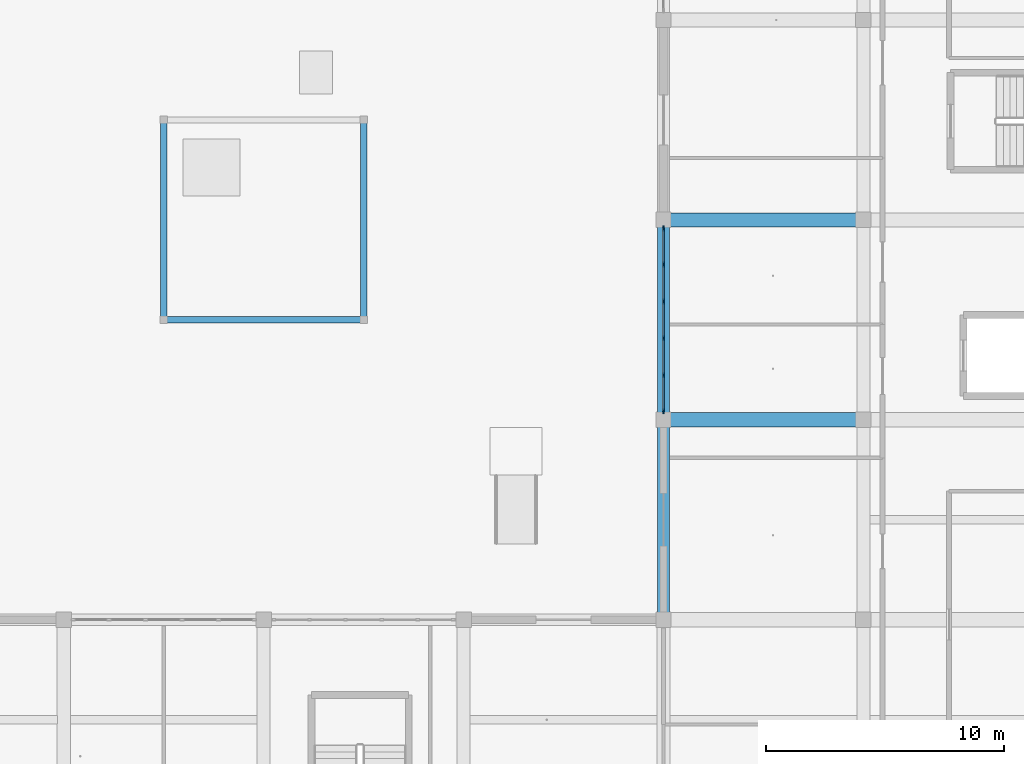
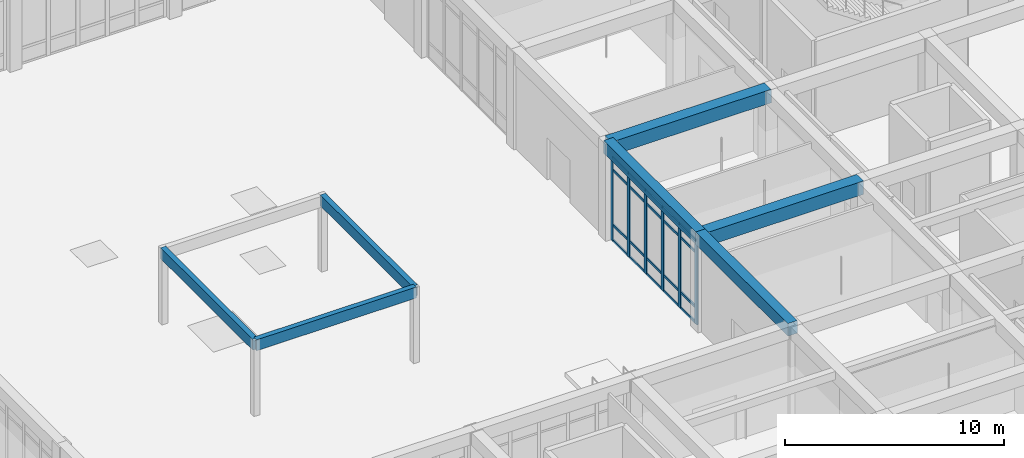
# One storey, part 39 of 167: 26 members, 7 beams, 1 element without a shape of its own.
"""IFC4 building model written with IfcOpenShell, lengths in metres."""

from ifc_helpers import new_model, si_unit, direction, frame, origin, origin_2d, place, context, subcontext, project, spatial, rectangle, extrude, material, material_profile, profile_set, type_object, element, aggregate, save


model = new_model("IFC4")

# Units and contexts
model_context = context("Model", 3, precision=1e-05, world=origin(), true_north=direction((0.0, 1.0)))
body_context = subcontext(model_context, "Body", "Model", "MODEL_VIEW")
ifc_project = project(units=[si_unit("LENGTHUNIT", "METRE"), si_unit("AREAUNIT", "SQUARE_METRE"), si_unit("VOLUMEUNIT", "CUBIC_METRE"), si_unit("PLANEANGLEUNIT", "RADIAN"), si_unit("MASSUNIT", "GRAM", prefix="KILO")], contexts=[model_context])

# Site, building, storey
site_placement = place(None, origin())
site = spatial("IfcSite", under=ifc_project, at=site_placement, CompositionType="ELEMENT")
building_placement = place(site_placement, origin())
building = spatial("IfcBuilding", under=site, at=building_placement, Name="Varncliffe General Hospital", CompositionType="ELEMENT")
storey_placement = place(building_placement, origin())
storey = spatial("IfcBuildingStorey", under=building, at=storey_placement, Name="L00", CompositionType="ELEMENT", Elevation=0.0)

# Beams
ifc_material_1 = material(Name="Concrete C35/45 (CSA A23.1 35 MPa)", Category="concrete")
ifc_material_profile_1 = material_profile(ifc_material_1, rectangle(XDim=0.60009765625, YDim=0.75, at=origin_2d()), Name="RC 600x750")
ifc_profile_set_1 = profile_set([ifc_material_profile_1], Name="Concrete C35/45 (CSA A23.1 35 MPa)")
beam_type_1 = type_object("IfcBeamType", Name="Beam B23 (Int RC 600x750)", PredefinedType="BEAM", material=ifc_profile_set_1)
for number, where, z_axis, x_axis, name in (
    (1, (151.199951171875, 49.199951171875, 5.02490234375), (1.0, 0.0, 0.0), (0.0, 1.0, 0.0), "L00 Primary Beam B23-70"),
    (2, (151.199951171875, 57.60009765625, 5.02490234375), (1.0, 0.0, 0.0), (0.0, 1.0, 0.0), "L00 Primary Beam B23-83"),
):
    element("IfcBeam", number, at=place(storey_placement, frame(where, z_axis=z_axis, x_axis=x_axis)), inside=storey, type_object=beam_type_1, Name=name, PredefinedType="BEAM", context=body_context, shape_type="SweptSolid", body=[
        extrude(rectangle(XDim=0.60009765625, YDim=0.75, at=origin_2d()), origin(), (0.0, 0.0, 1.0), 8.400146484375),
    ])
ifc_material_2 = material(Name="Glulam GL28h (CSA O86 24f-EX, 30 MPa)", Category="wood")
ifc_material_profile_2 = material_profile(ifc_material_2, rectangle(XDim=0.264892578125, YDim=0.60791015625, at=origin_2d()), Name="GL 265x608")
ifc_profile_set_2 = profile_set([ifc_material_profile_2], Name="Glulam GL28h (CSA O86 24f-EX, 30 MPa)")
beam_type_2 = type_object("IfcBeamType", Name="Beam B82 (Ext GL 265x608)", PredefinedType="BEAM", material=ifc_profile_set_2)
for number, where, z_axis, x_axis, name in (
    (3, (130.199951171875, 53.39990234375, 3.89599609375), (1.0, 0.0, 0.0), (0.0, 1.0, 0.0), "L00 Cloister Pergola Glulam Beam E1"),
    (4, (130.199951171875, 53.39990234375, 3.89599609375), (0.0, 1.0, 0.0), (-1.0, 0.0, 0.0), "L00 Cloister Pergola Glulam Beam E3"),
    (5, (138.60009765625, 53.39990234375, 3.89599609375), (0.0, 1.0, 0.0), (-1.0, 0.0, 0.0), "L00 Cloister Pergola Glulam Beam E4"),
):
    element("IfcBeam", number, at=place(storey_placement, frame(where, z_axis=z_axis, x_axis=x_axis)), inside=storey, type_object=beam_type_2, Name=name, PredefinedType="BEAM", context=body_context, shape_type="SweptSolid", body=[
        extrude(rectangle(XDim=0.264892578125, YDim=0.60791015625, at=origin_2d()), origin(), (0.0, 0.0, 1.0), 8.400146484375),
    ])

# Curtain wall, members
ifc_material_3 = material(Name="Triple low-E argon insulated vision glazing", Category="glass")
curtain_wall_type = type_object("IfcCurtainWallType", Name="Unitised Glazed Curtain Wall CW66 (7754x4640)", PredefinedType="USERDEFINED", material=ifc_material_3)
curtain_wall_placement = place(storey_placement, origin())
curtain_wall = element("IfcCurtainWall", 6, at=curtain_wall_placement, inside=storey, type_object=curtain_wall_type, Name="L00 Glazed Curtain Wall CW66-30", ObjectType="GLAZED CURTAIN WALL", PredefinedType="USERDEFINED")
ifc_material_4 = material(Name="Dark bronze thermally broken aluminium framing", Category="aluminium")
ifc_material_profile_3 = material_profile(ifc_material_4, rectangle(XDim=0.074951171875, YDim=0.219970703125, at=origin_2d()), Name="ALU 75x220")
ifc_profile_set_3 = profile_set([ifc_material_profile_3], Name="Dark bronze thermally broken aluminium framing")
member_type_1 = type_object("IfcMemberType", Name="Curtain Wall Mullion CM74 (ALU 75x220)", PredefinedType="MULLION", material=ifc_profile_set_3)
member_1_placement = place(storey_placement, frame((151.199951171875, 49.560546875, 0.0), z_axis=(0.0, 0.0, 1.0), x_axis=(-1.0, 0.0, 0.0)))
member_1 = element("IfcMember", 7, at=member_1_placement, type_object=member_type_1, Name="CW66 mullion 1", PredefinedType="MULLION", context=body_context, shape_type="SweptSolid", body=[
    extrude(rectangle(XDim=0.074951171875, YDim=0.219970703125, at=origin_2d()), origin(), (0.0, 0.0, 1.0), 4.639892578125),
])
member_2_placement = place(storey_placement, frame((151.199951171875, 51.07373046875, 0.0), z_axis=(0.0, 0.0, 1.0), x_axis=(-1.0, 0.0, 0.0)))
member_2 = element("IfcMember", 8, at=member_2_placement, type_object=member_type_1, Name="CW66 mullion 2", PredefinedType="MULLION", context=body_context, shape_type="SweptSolid", body=[
    extrude(rectangle(XDim=0.074951171875, YDim=0.219970703125, at=origin_2d()), origin(), (0.0, 0.0, 1.0), 4.639892578125),
])
member_3_placement = place(storey_placement, frame((151.199951171875, 52.62451171875, 0.0), z_axis=(0.0, 0.0, 1.0), x_axis=(-1.0, 0.0, 0.0)))
member_3 = element("IfcMember", 9, at=member_3_placement, type_object=member_type_1, Name="CW66 mullion 3", PredefinedType="MULLION", context=body_context, shape_type="SweptSolid", body=[
    extrude(rectangle(XDim=0.074951171875, YDim=0.219970703125, at=origin_2d()), origin(), (0.0, 0.0, 1.0), 4.639892578125),
])
member_4_placement = place(storey_placement, frame((151.199951171875, 54.17529296875, 0.0), z_axis=(0.0, 0.0, 1.0), x_axis=(-1.0, 0.0, 0.0)))
member_4 = element("IfcMember", 10, at=member_4_placement, type_object=member_type_1, Name="CW66 mullion 4", PredefinedType="MULLION", context=body_context, shape_type="SweptSolid", body=[
    extrude(rectangle(XDim=0.074951171875, YDim=0.219970703125, at=origin_2d()), origin(), (0.0, 0.0, 1.0), 4.639892578125),
])
member_5_placement = place(storey_placement, frame((151.199951171875, 55.726318359375, 0.0), z_axis=(0.0, 0.0, 1.0), x_axis=(-1.0, 0.0, 0.0)))
member_5 = element("IfcMember", 11, at=member_5_placement, type_object=member_type_1, Name="CW66 mullion 5", PredefinedType="MULLION", context=body_context, shape_type="SweptSolid", body=[
    extrude(rectangle(XDim=0.074951171875, YDim=0.219970703125, at=origin_2d()), origin(), (0.0, 0.0, 1.0), 4.639892578125),
])
member_6_placement = place(storey_placement, frame((151.199951171875, 57.239501953125, 0.0), z_axis=(0.0, 0.0, 1.0), x_axis=(-1.0, 0.0, 0.0)))
member_6 = element("IfcMember", 12, at=member_6_placement, type_object=member_type_1, Name="CW66 mullion 6", PredefinedType="MULLION", context=body_context, shape_type="SweptSolid", body=[
    extrude(rectangle(XDim=0.074951171875, YDim=0.219970703125, at=origin_2d()), origin(), (0.0, 0.0, 1.0), 4.639892578125),
])
ifc_material_profile_4 = material_profile(ifc_material_4, rectangle(XDim=0.06494140625, YDim=0.139892578125, at=origin_2d()), Name="ALU 65x140")
ifc_profile_set_4 = profile_set([ifc_material_profile_4], Name="Dark bronze thermally broken aluminium framing")
member_type_2 = type_object("IfcMemberType", Name="Curtain Wall Transom CT69 (ALU 65x140)", PredefinedType="USERDEFINED", material=ifc_profile_set_4)
member_7_placement = place(storey_placement, frame((151.199951171875, 49.597900390625, 0.032470703125), z_axis=(0.0, 1.0, 0.0), x_axis=(-1.0, 0.0, 0.0)))
member_7 = element("IfcMember", 13, at=member_7_placement, type_object=member_type_2, Name="CW66 transom 1.1", ObjectType="TRANSOM", PredefinedType="USERDEFINED", context=body_context, shape_type="SweptSolid", body=[
    extrude(rectangle(XDim=0.06494140625, YDim=0.139892578125, at=origin_2d()), origin(), (0.0, 0.0, 1.0), 1.4384765625),
])
member_8_placement = place(storey_placement, frame((151.199951171875, 49.597900390625, 0.89990234375), z_axis=(0.0, 1.0, 0.0), x_axis=(-1.0, 0.0, 0.0)))
member_8 = element("IfcMember", 14, at=member_8_placement, type_object=member_type_2, Name="CW66 transom 1.2", ObjectType="TRANSOM", PredefinedType="USERDEFINED", context=body_context, shape_type="SweptSolid", body=[
    extrude(rectangle(XDim=0.06494140625, YDim=0.139892578125, at=origin_2d()), origin(), (0.0, 0.0, 1.0), 1.4384765625),
])
member_9_placement = place(storey_placement, frame((151.199951171875, 49.597900390625, 3.93994140625), z_axis=(0.0, 1.0, 0.0), x_axis=(-1.0, 0.0, 0.0)))
member_9 = element("IfcMember", 15, at=member_9_placement, type_object=member_type_2, Name="CW66 transom 1.3", ObjectType="TRANSOM", PredefinedType="USERDEFINED", context=body_context, shape_type="SweptSolid", body=[
    extrude(rectangle(XDim=0.06494140625, YDim=0.139892578125, at=origin_2d()), origin(), (0.0, 0.0, 1.0), 1.4384765625),
])
member_10_placement = place(storey_placement, frame((151.199951171875, 49.597900390625, 4.607421875), z_axis=(0.0, 1.0, 0.0), x_axis=(-1.0, 0.0, 0.0)))
member_10 = element("IfcMember", 16, at=member_10_placement, type_object=member_type_2, Name="CW66 transom 1.4", ObjectType="TRANSOM", PredefinedType="USERDEFINED", context=body_context, shape_type="SweptSolid", body=[
    extrude(rectangle(XDim=0.06494140625, YDim=0.139892578125, at=origin_2d()), origin(), (0.0, 0.0, 1.0), 1.4384765625),
])
member_11_placement = place(storey_placement, frame((151.199951171875, 51.111328125, 0.032470703125), z_axis=(0.0, 1.0, 0.0), x_axis=(-1.0, 0.0, 0.0)))
member_11 = element("IfcMember", 17, at=member_11_placement, type_object=member_type_2, Name="CW66 transom 2.1", ObjectType="TRANSOM", PredefinedType="USERDEFINED", context=body_context, shape_type="SweptSolid", body=[
    extrude(rectangle(XDim=0.06494140625, YDim=0.139892578125, at=origin_2d()), origin(), (0.0, 0.0, 1.0), 1.475830078125),
])
member_12_placement = place(storey_placement, frame((151.199951171875, 51.111328125, 0.89990234375), z_axis=(0.0, 1.0, 0.0), x_axis=(-1.0, 0.0, 0.0)))
member_12 = element("IfcMember", 18, at=member_12_placement, type_object=member_type_2, Name="CW66 transom 2.2", ObjectType="TRANSOM", PredefinedType="USERDEFINED", context=body_context, shape_type="SweptSolid", body=[
    extrude(rectangle(XDim=0.06494140625, YDim=0.139892578125, at=origin_2d()), origin(), (0.0, 0.0, 1.0), 1.475830078125),
])
member_13_placement = place(storey_placement, frame((151.199951171875, 51.111328125, 3.93994140625), z_axis=(0.0, 1.0, 0.0), x_axis=(-1.0, 0.0, 0.0)))
member_13 = element("IfcMember", 19, at=member_13_placement, type_object=member_type_2, Name="CW66 transom 2.3", ObjectType="TRANSOM", PredefinedType="USERDEFINED", context=body_context, shape_type="SweptSolid", body=[
    extrude(rectangle(XDim=0.06494140625, YDim=0.139892578125, at=origin_2d()), origin(), (0.0, 0.0, 1.0), 1.475830078125),
])
member_14_placement = place(storey_placement, frame((151.199951171875, 51.111328125, 4.607421875), z_axis=(0.0, 1.0, 0.0), x_axis=(-1.0, 0.0, 0.0)))
member_14 = element("IfcMember", 20, at=member_14_placement, type_object=member_type_2, Name="CW66 transom 2.4", ObjectType="TRANSOM", PredefinedType="USERDEFINED", context=body_context, shape_type="SweptSolid", body=[
    extrude(rectangle(XDim=0.06494140625, YDim=0.139892578125, at=origin_2d()), origin(), (0.0, 0.0, 1.0), 1.475830078125),
])
member_15_placement = place(storey_placement, frame((151.199951171875, 52.662109375, 0.032470703125), z_axis=(0.0, 1.0, 0.0), x_axis=(-1.0, 0.0, 0.0)))
member_15 = element("IfcMember", 21, at=member_15_placement, type_object=member_type_2, Name="CW66 transom 3.1", ObjectType="TRANSOM", PredefinedType="USERDEFINED", context=body_context, shape_type="SweptSolid", body=[
    extrude(rectangle(XDim=0.06494140625, YDim=0.139892578125, at=origin_2d()), origin(), (0.0, 0.0, 1.0), 1.475830078125),
])
member_16_placement = place(storey_placement, frame((151.199951171875, 52.662109375, 0.89990234375), z_axis=(0.0, 1.0, 0.0), x_axis=(-1.0, 0.0, 0.0)))
member_16 = element("IfcMember", 22, at=member_16_placement, type_object=member_type_2, Name="CW66 transom 3.2", ObjectType="TRANSOM", PredefinedType="USERDEFINED", context=body_context, shape_type="SweptSolid", body=[
    extrude(rectangle(XDim=0.06494140625, YDim=0.139892578125, at=origin_2d()), origin(), (0.0, 0.0, 1.0), 1.475830078125),
])
member_17_placement = place(storey_placement, frame((151.199951171875, 52.662109375, 3.93994140625), z_axis=(0.0, 1.0, 0.0), x_axis=(-1.0, 0.0, 0.0)))
member_17 = element("IfcMember", 23, at=member_17_placement, type_object=member_type_2, Name="CW66 transom 3.3", ObjectType="TRANSOM", PredefinedType="USERDEFINED", context=body_context, shape_type="SweptSolid", body=[
    extrude(rectangle(XDim=0.06494140625, YDim=0.139892578125, at=origin_2d()), origin(), (0.0, 0.0, 1.0), 1.475830078125),
])
member_18_placement = place(storey_placement, frame((151.199951171875, 52.662109375, 4.607421875), z_axis=(0.0, 1.0, 0.0), x_axis=(-1.0, 0.0, 0.0)))
member_18 = element("IfcMember", 24, at=member_18_placement, type_object=member_type_2, Name="CW66 transom 3.4", ObjectType="TRANSOM", PredefinedType="USERDEFINED", context=body_context, shape_type="SweptSolid", body=[
    extrude(rectangle(XDim=0.06494140625, YDim=0.139892578125, at=origin_2d()), origin(), (0.0, 0.0, 1.0), 1.475830078125),
])
member_19_placement = place(storey_placement, frame((151.199951171875, 54.212890625, 0.032470703125), z_axis=(0.0, 1.0, 0.0), x_axis=(-1.0, 0.0, 0.0)))
member_19 = element("IfcMember", 25, at=member_19_placement, type_object=member_type_2, Name="CW66 transom 4.1", ObjectType="TRANSOM", PredefinedType="USERDEFINED", context=body_context, shape_type="SweptSolid", body=[
    extrude(rectangle(XDim=0.06494140625, YDim=0.139892578125, at=origin_2d()), origin(), (0.0, 0.0, 1.0), 1.475830078125),
])
member_20_placement = place(storey_placement, frame((151.199951171875, 54.212890625, 0.89990234375), z_axis=(0.0, 1.0, 0.0), x_axis=(-1.0, 0.0, 0.0)))
member_20 = element("IfcMember", 26, at=member_20_placement, type_object=member_type_2, Name="CW66 transom 4.2", ObjectType="TRANSOM", PredefinedType="USERDEFINED", context=body_context, shape_type="SweptSolid", body=[
    extrude(rectangle(XDim=0.06494140625, YDim=0.139892578125, at=origin_2d()), origin(), (0.0, 0.0, 1.0), 1.475830078125),
])
member_21_placement = place(storey_placement, frame((151.199951171875, 54.212890625, 3.93994140625), z_axis=(0.0, 1.0, 0.0), x_axis=(-1.0, 0.0, 0.0)))
member_21 = element("IfcMember", 27, at=member_21_placement, type_object=member_type_2, Name="CW66 transom 4.3", ObjectType="TRANSOM", PredefinedType="USERDEFINED", context=body_context, shape_type="SweptSolid", body=[
    extrude(rectangle(XDim=0.06494140625, YDim=0.139892578125, at=origin_2d()), origin(), (0.0, 0.0, 1.0), 1.475830078125),
])
member_22_placement = place(storey_placement, frame((151.199951171875, 54.212890625, 4.607421875), z_axis=(0.0, 1.0, 0.0), x_axis=(-1.0, 0.0, 0.0)))
member_22 = element("IfcMember", 28, at=member_22_placement, type_object=member_type_2, Name="CW66 transom 4.4", ObjectType="TRANSOM", PredefinedType="USERDEFINED", context=body_context, shape_type="SweptSolid", body=[
    extrude(rectangle(XDim=0.06494140625, YDim=0.139892578125, at=origin_2d()), origin(), (0.0, 0.0, 1.0), 1.475830078125),
])
member_23_placement = place(storey_placement, frame((151.199951171875, 55.763671875, 0.032470703125), z_axis=(0.0, 1.0, 0.0), x_axis=(-1.0, 0.0, 0.0)))
member_23 = element("IfcMember", 29, at=member_23_placement, type_object=member_type_2, Name="CW66 transom 5.1", ObjectType="TRANSOM", PredefinedType="USERDEFINED", context=body_context, shape_type="SweptSolid", body=[
    extrude(rectangle(XDim=0.06494140625, YDim=0.139892578125, at=origin_2d()), origin(), (0.0, 0.0, 1.0), 1.438232421875),
])
member_24_placement = place(storey_placement, frame((151.199951171875, 55.763671875, 0.89990234375), z_axis=(0.0, 1.0, 0.0), x_axis=(-1.0, 0.0, 0.0)))
member_24 = element("IfcMember", 30, at=member_24_placement, type_object=member_type_2, Name="CW66 transom 5.2", ObjectType="TRANSOM", PredefinedType="USERDEFINED", context=body_context, shape_type="SweptSolid", body=[
    extrude(rectangle(XDim=0.06494140625, YDim=0.139892578125, at=origin_2d()), origin(), (0.0, 0.0, 1.0), 1.438232421875),
])
member_25_placement = place(storey_placement, frame((151.199951171875, 55.763671875, 3.93994140625), z_axis=(0.0, 1.0, 0.0), x_axis=(-1.0, 0.0, 0.0)))
member_25 = element("IfcMember", 31, at=member_25_placement, type_object=member_type_2, Name="CW66 transom 5.3", ObjectType="TRANSOM", PredefinedType="USERDEFINED", context=body_context, shape_type="SweptSolid", body=[
    extrude(rectangle(XDim=0.06494140625, YDim=0.139892578125, at=origin_2d()), origin(), (0.0, 0.0, 1.0), 1.438232421875),
])
member_26_placement = place(storey_placement, frame((151.199951171875, 55.763671875, 4.607421875), z_axis=(0.0, 1.0, 0.0), x_axis=(-1.0, 0.0, 0.0)))
member_26 = element("IfcMember", 32, at=member_26_placement, type_object=member_type_2, Name="CW66 transom 5.4", ObjectType="TRANSOM", PredefinedType="USERDEFINED", context=body_context, shape_type="SweptSolid", body=[
    extrude(rectangle(XDim=0.06494140625, YDim=0.139892578125, at=origin_2d()), origin(), (0.0, 0.0, 1.0), 1.438232421875),
])
aggregate(curtain_wall, [member_1, member_2, member_3, member_4, member_5, member_6, member_7, member_8, member_9, member_10, member_11, member_12, member_13, member_14, member_15, member_16, member_17, member_18, member_19, member_20, member_21, member_22, member_23, member_24, member_25, member_26])

# Beams
ifc_material_profile_5 = material_profile(ifc_material_1, rectangle(XDim=0.5, YDim=0.699951171875, at=origin_2d()), Name="RC 500x700")
ifc_profile_set_5 = profile_set([ifc_material_profile_5], Name="Concrete C35/45 (CSA A23.1 35 MPa)")
beam_type_3 = type_object("IfcBeamType", Name="Spandrel SP19 (Ext RC 500x700)", PredefinedType="SPANDREL", material=ifc_profile_set_5)
beam_1_placement = place(storey_placement, frame((151.199951171875, 40.800048828125, 5.050048828125), z_axis=(0.0, 1.0, 0.0), x_axis=(-1.0, 0.0, 0.0)))
element("IfcBeam", 33, at=beam_1_placement, inside=storey, type_object=beam_type_3, Name="L00 Spandrel Beam SP19-464", PredefinedType="SPANDREL", context=body_context, shape_type="SweptSolid", body=[
    extrude(rectangle(XDim=0.5, YDim=0.699951171875, at=origin_2d()), origin(), (0.0, 0.0, 1.0), 8.39990234375),
])
beam_2_placement = place(storey_placement, frame((151.199951171875, 49.199951171875, 5.050048828125), z_axis=(0.0, 1.0, 0.0), x_axis=(-1.0, 0.0, 0.0)))
element("IfcBeam", 34, at=beam_2_placement, inside=storey, type_object=beam_type_3, Name="L00 Spandrel Beam SP19-465", PredefinedType="SPANDREL", context=body_context, shape_type="SweptSolid", body=[
    extrude(rectangle(XDim=0.5, YDim=0.699951171875, at=origin_2d()), origin(), (0.0, 0.0, 1.0), 8.400146484375),
])

save(model, "model.ifc")
